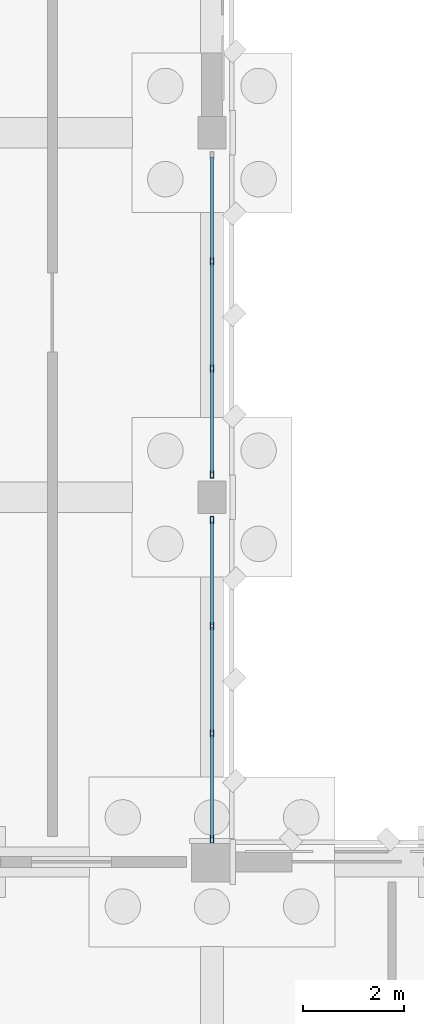
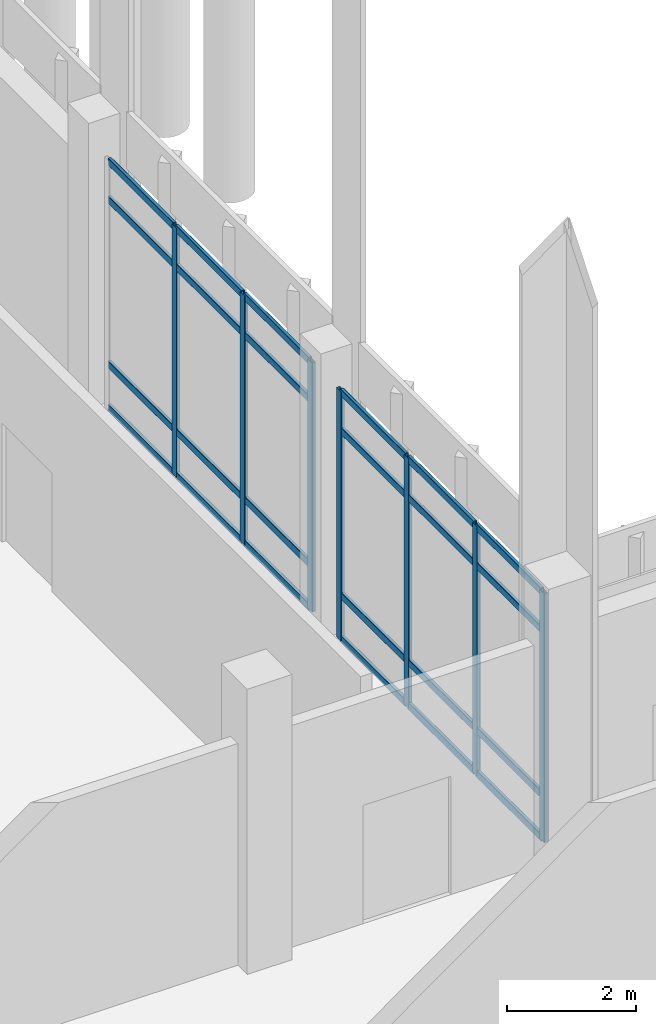
# One storey, part 28 of 109: 31 members, 2 elements without a shape of their own.
"""IFC4 building model written with IfcOpenShell, lengths in metres."""

import ifcopenshell
import ifcopenshell.guid

model = None  # the IFC model being written
_history = None  # IfcOwnerHistory: only IFC2X3 demands one
_inside = {}  # id of a spatial element -> (the spatial element, [elements in it])
_under = {}  # id of a project, library or spatial element -> (it, [spatial elements below it])
_declared = {}  # id of a project -> (the project, [libraries it declares])
_typed = {}  # id of a type object -> (the type object, [elements of that type])
_made_of = {}  # id of a material, layer set ... -> (it, [elements and type objects made of it])


def new_model(schema):
    """Start an empty IFC model of exactly this schema.

    Asked for "IFC4X3", IfcOpenShell would pick the latest addendum, in which some entities
    have other attributes; the version numbers below select the first issue.
    IFC2X3 requires an IfcOwnerHistory on every rooted entity: one is made here for all.
    """
    global model, _history
    if schema == "IFC4X3":
        model = ifcopenshell.file(schema_version=(4, 3, 0, 0))
    else:
        model = ifcopenshell.file(schema=schema)
    _inside.clear()
    _under.clear()
    _declared.clear()
    _typed.clear()
    _made_of.clear()
    _history = None
    if model.schema == "IFC2X3":
        org = make("IfcOrganization", Name="unknown")
        user = make(
            "IfcPersonAndOrganization",
            ThePerson=make("IfcPerson", FamilyName="unknown"),
            TheOrganization=org,
        )
        app = make(
            "IfcApplication",
            ApplicationDeveloper=org,
            Version="unknown",
            ApplicationFullName="unknown",
            ApplicationIdentifier="unknown",
        )
        _history = make(
            "IfcOwnerHistory",
            OwningUser=user,
            OwningApplication=app,
            ChangeAction="ADDED",
            CreationDate=0,
        )
    return model


def make(cls, **values):
    """One entity of the class cls with the attributes given. An attribute that is None is left unset."""
    return model.create_entity(
        cls, **{name: value for name, value in values.items() if value is not None}
    )


def rooted(cls, **values):
    """An entity with a GlobalId (a new one), such as an element, a storey or a relation."""
    return make(cls, GlobalId=ifcopenshell.guid.new(), OwnerHistory=_history, **values)


def si_unit(unit_type, name, prefix=None):
    """IfcSIUnit, for example si_unit("LENGTHUNIT", "METRE", prefix="MILLI")."""
    return make("IfcSIUnit", UnitType=unit_type, Prefix=prefix, Name=name)


def assignment(units):
    """IfcUnitAssignment: the units of a project."""
    return None if units is None else make("IfcUnitAssignment", Units=units)


def point(xyz):
    """IfcCartesianPoint."""
    return None if xyz is None else make("IfcCartesianPoint", Coordinates=xyz)


def direction(xyz):
    """IfcDirection."""
    return None if xyz is None else make("IfcDirection", DirectionRatios=xyz)


def frame(location, z_axis=None, x_axis=None):
    """IfcAxis2Placement3D, a coordinate frame: its origin and axes. An axis left out is left unset."""
    return make(
        "IfcAxis2Placement3D",
        Location=point(location),
        Axis=direction(z_axis),
        RefDirection=direction(x_axis),
    )


def frame_2d(location, x_axis=None):
    """IfcAxis2Placement2D, a coordinate frame in the plane: its origin and x axis."""
    return make(
        "IfcAxis2Placement2D", Location=point(location), RefDirection=direction(x_axis)
    )


def origin():
    """The frame at (0, 0, 0) with its axes left unset."""
    return frame((0.0, 0.0, 0.0))


def origin_2d():
    """The frame at (0, 0) in the plane with its x axis left unset."""
    return frame_2d((0.0, 0.0))


def place(relative_to, where):
    """IfcLocalPlacement: puts the frame where relative to a parent placement (None: the world)."""
    return make(
        "IfcLocalPlacement", PlacementRelTo=relative_to, RelativePlacement=where
    )


def context(
    kind, dimensions, precision=None, world=None, true_north=None, identifier=None
):
    """IfcGeometricRepresentationContext, for example the 3D "Model" context."""
    return make(
        "IfcGeometricRepresentationContext",
        ContextIdentifier=identifier,
        ContextType=kind,
        CoordinateSpaceDimension=dimensions,
        Precision=precision,
        WorldCoordinateSystem=world,
        TrueNorth=true_north,
    )


def subcontext(parent, identifier, kind, view, scale=None):
    """IfcGeometricRepresentationSubContext, for example "Body" below "Model"."""
    return make(
        "IfcGeometricRepresentationSubContext",
        ContextIdentifier=identifier,
        ContextType=kind,
        ParentContext=parent,
        TargetScale=scale,
        TargetView=view,
    )


def project(units=None, contexts=None):
    """IfcProject with its units and contexts."""
    return rooted(
        "IfcProject",
        Name="project",
        RepresentationContexts=contexts,
        UnitsInContext=assignment(units),
    )


def spatial(cls, under=None, at=None, **own):
    """A site, building, storey or space (cls), placed at a placement, below another one or the project."""
    s = rooted(cls, ObjectPlacement=at, **own)
    if under is not None:
        _under.setdefault(under.id(), (under, []))[1].append(s)
    return s


def profile(cls, at=None, kind="AREA", **sizes):
    """A parametric profile (cls). Its sizes go by their IFC names, for example OverallWidth=200.0."""
    return make(cls, ProfileType=kind, Position=at, **sizes)


def hollow_rectangle(**sizes):
    """IfcRectangleHollowProfileDef."""
    return profile("IfcRectangleHollowProfileDef", **sizes)


def extrude(swept, where, along, depth):
    """IfcExtrudedAreaSolid: the profile swept, set in the frame where, extruded along a direction by depth."""
    return make(
        "IfcExtrudedAreaSolid",
        SweptArea=swept,
        Position=where,
        ExtrudedDirection=direction(along),
        Depth=depth,
    )


def shape(context_of_items, identifier, shape_type, items):
    """IfcShapeRepresentation: the items that make up one representation, for example the "Body"."""
    return make(
        "IfcShapeRepresentation",
        ContextOfItems=context_of_items,
        RepresentationIdentifier=identifier,
        RepresentationType=shape_type,
        Items=items,
    )


def material(Name=None, Category=None):
    """IfcMaterial."""
    return make("IfcMaterial", Name=Name, Category=Category)


def material_profile(
    of_material, cross_section, Name=None, Category=None, Priority=None
):
    """IfcMaterialProfile: a cross section and its material."""
    return make(
        "IfcMaterialProfile",
        Name=Name,
        Material=of_material,
        Profile=cross_section,
        Priority=Priority,
        Category=Category,
    )


def profile_set(profiles, Name=None, composite=None):
    """IfcMaterialProfileSet."""
    return make(
        "IfcMaterialProfileSet",
        Name=Name,
        MaterialProfiles=profiles,
        CompositeProfile=composite,
    )


def made_of(thing, what):
    """Note that an element or type object is made of a material, layer set ...; save() writes the relation."""
    if what is not None:
        _made_of.setdefault(what.id(), (what, []))[1].append(thing)
    return thing


def type_object(cls, material=None, **own):
    """A type object (cls), such as IfcWallType, which elements share."""
    return made_of(rooted(cls, **own), material)


def element(
    cls,
    number,
    at=None,
    inside=None,
    cuts=None,
    type_object=None,
    material=None,
    context=None,
    identifier="Body",
    shape_type=None,
    held_by="IfcProductDefinitionShape",
    body=None,
    shapes=None,
    **own,
):
    """One element of the class cls, such as IfcWall. Its Tag is "e" and its number.

    at: its placement. inside: the storey or other place that contains it. cuts: it is an
    opening in that element (IfcRelVoidsElement). A single representation is given by context,
    identifier, shape_type and body (its items); several are given by shapes. held_by: the class
    of the entity that holds the representations. save() writes the other relations.
    """
    e = rooted(cls, Tag="e%d" % number, ObjectPlacement=at, **own)
    if body is not None:
        shapes = [shape(context, identifier, shape_type, body)]
    if shapes is not None:
        e.Representation = make(held_by, Representations=shapes)
    if inside is not None:
        _inside.setdefault(inside.id(), (inside, []))[1].append(e)
    if cuts is not None:
        rooted(
            "IfcRelVoidsElement", RelatingBuildingElement=cuts, RelatedOpeningElement=e
        )
    if type_object is not None:
        _typed.setdefault(type_object.id(), (type_object, []))[1].append(e)
    return made_of(e, material)


def aggregate(whole, parts):
    """IfcRelAggregates: a whole, such as a stair, and the parts it consists of."""
    return rooted("IfcRelAggregates", RelatingObject=whole, RelatedObjects=parts)


def save(model, path):
    """Write the relations noted so far, then the file.

    IfcRelAggregates (storeys below a building ...), IfcRelContainedInSpatialStructure (elements
    in a storey), IfcRelDefinesByType, IfcRelAssociatesMaterial and IfcRelDeclares: one each for
    every whole, place, type object, material and project.
    """
    for whole, parts in _under.values():
        aggregate(whole, parts)
    for where, things in _inside.values():
        rooted(
            "IfcRelContainedInSpatialStructure",
            RelatedElements=things,
            RelatingStructure=where,
        )
    for kind, things in _typed.values():
        rooted("IfcRelDefinesByType", RelatedObjects=things, RelatingType=kind)
    for what, things in _made_of.values():
        rooted("IfcRelAssociatesMaterial", RelatedObjects=things, RelatingMaterial=what)
    for by, libraries in _declared.values():
        rooted("IfcRelDeclares", RelatingContext=by, RelatedDefinitions=libraries)
    model.write(path)


model = new_model("IFC4")

# Units and contexts
model_context = context("Model", 3, precision=1e-05, world=origin(), true_north=direction((0.0, 1.0)))
body_context = subcontext(model_context, "Body", "Model", "MODEL_VIEW")
ifc_project = project(units=[si_unit("LENGTHUNIT", "METRE"), si_unit("AREAUNIT", "SQUARE_METRE"), si_unit("VOLUMEUNIT", "CUBIC_METRE"), si_unit("PLANEANGLEUNIT", "RADIAN"), si_unit("MASSUNIT", "GRAM", prefix="KILO")], contexts=[model_context])

# Site, building, storey
site_placement = place(None, origin())
site = spatial("IfcSite", under=ifc_project, at=site_placement, CompositionType="ELEMENT")
building_placement = place(site_placement, origin())
building = spatial("IfcBuilding", under=site, at=building_placement, Name="Lusvemor Sports Hall", CompositionType="ELEMENT")
storey_placement = place(building_placement, origin())
storey = spatial("IfcBuildingStorey", under=building, at=storey_placement, Name="L00", CompositionType="ELEMENT", Elevation=0.0)

# Curtain wall, members
ifc_material_1 = material(Name="Thermally broken bronze-anodized aluminium", Category="aluminium")
curtain_wall_type = type_object("IfcCurtainWallType", Name="CW_WING_B", PredefinedType="NOTDEFINED", material=ifc_material_1)
curtain_wall_1_placement = place(storey_placement, origin())
curtain_wall_1 = element("IfcCurtainWall", 1, at=curtain_wall_1_placement, inside=storey, type_object=curtain_wall_type, Name="Curtain Wall CW-L00-E-4-0", PredefinedType="NOTDEFINED")
ifc_material_2 = material(Name="Thermally broken bronze-anodized aluminium", Category="aluminium")
ifc_material_profile_1 = material_profile(ifc_material_2, hollow_rectangle(XDim=0.06494140625, YDim=0.14990234375, WallThickness=0.00390625, InnerFilletRadius=0.00390625, OuterFilletRadius=0.008056640625, at=origin_2d()), Name="CWMUL150x65x4")
ifc_profile_set_1 = profile_set([ifc_material_profile_1], Name="Thermally broken bronze-anodized aluminium")
member_type_1 = type_object("IfcMemberType", Name="CW_MUL_B", PredefinedType="MULLION", material=ifc_profile_set_1)
member_1_placement = place(storey_placement, frame((21.60009765625, 53.547607421875, 0.0), z_axis=(0.0, 0.0, 1.0), x_axis=(1.0, 0.0, 0.0)))
member_1 = element("IfcMember", 2, at=member_1_placement, type_object=member_type_1, Name="CW02 mullion 1", PredefinedType="MULLION", context=body_context, shape_type="SweptSolid", body=[
    extrude(hollow_rectangle(XDim=0.06494140625, YDim=0.14990234375, WallThickness=0.00390625, InnerFilletRadius=0.00390625, OuterFilletRadius=0.008056640625, at=origin_2d()), origin(), (0.0, 0.0, 1.0), 4.719970703125),
])
member_2_placement = place(storey_placement, frame((21.60009765625, 51.4599609375, 0.0), z_axis=(0.0, 0.0, 1.0), x_axis=(1.0, 0.0, 0.0)))
member_2 = element("IfcMember", 3, at=member_2_placement, type_object=member_type_1, Name="CW02 mullion 2", PredefinedType="MULLION", context=body_context, shape_type="SweptSolid", body=[
    extrude(hollow_rectangle(XDim=0.06494140625, YDim=0.14990234375, WallThickness=0.00390625, InnerFilletRadius=0.00390625, OuterFilletRadius=0.008056640625, at=origin_2d()), origin(), (0.0, 0.0, 1.0), 4.719970703125),
])
member_3_placement = place(storey_placement, frame((21.60009765625, 49.340087890625, 0.0), z_axis=(0.0, 0.0, 1.0), x_axis=(1.0, 0.0, 0.0)))
member_3 = element("IfcMember", 4, at=member_3_placement, type_object=member_type_1, Name="CW02 mullion 3", PredefinedType="MULLION", context=body_context, shape_type="SweptSolid", body=[
    extrude(hollow_rectangle(XDim=0.06494140625, YDim=0.14990234375, WallThickness=0.00390625, InnerFilletRadius=0.00390625, OuterFilletRadius=0.008056640625, at=origin_2d()), origin(), (0.0, 0.0, 1.0), 4.719970703125),
])
member_4_placement = place(storey_placement, frame((21.60009765625, 47.25244140625, 0.0), z_axis=(0.0, 0.0, 1.0), x_axis=(1.0, 0.0, 0.0)))
member_4 = element("IfcMember", 5, at=member_4_placement, type_object=member_type_1, Name="CW02 mullion 4", PredefinedType="MULLION", context=body_context, shape_type="SweptSolid", body=[
    extrude(hollow_rectangle(XDim=0.06494140625, YDim=0.14990234375, WallThickness=0.00390625, InnerFilletRadius=0.00390625, OuterFilletRadius=0.008056640625, at=origin_2d()), origin(), (0.0, 0.0, 1.0), 4.719970703125),
])

curtain_wall_2_placement = place(storey_placement, origin())
curtain_wall_2 = element("IfcCurtainWall", 6, at=curtain_wall_2_placement, inside=storey, type_object=curtain_wall_type, Name="Curtain Wall CW-L00-E-4-1", PredefinedType="NOTDEFINED")
member_5_placement = place(storey_placement, frame((21.60009765625, 58.659912109375, 0.0), z_axis=(0.0, 0.0, 1.0), x_axis=(1.0, 0.0, 0.0)))
member_5 = element("IfcMember", 7, at=member_5_placement, type_object=member_type_1, Name="CW02 mullion 2", PredefinedType="MULLION", context=body_context, shape_type="SweptSolid", body=[
    extrude(hollow_rectangle(XDim=0.06494140625, YDim=0.14990234375, WallThickness=0.00390625, InnerFilletRadius=0.00390625, OuterFilletRadius=0.008056640625, at=origin_2d()), origin(), (0.0, 0.0, 1.0), 4.719970703125),
])
member_6_placement = place(storey_placement, frame((21.60009765625, 56.5400390625, 0.0), z_axis=(0.0, 0.0, 1.0), x_axis=(1.0, 0.0, 0.0)))
member_6 = element("IfcMember", 8, at=member_6_placement, type_object=member_type_1, Name="CW02 mullion 3", PredefinedType="MULLION", context=body_context, shape_type="SweptSolid", body=[
    extrude(hollow_rectangle(XDim=0.06494140625, YDim=0.14990234375, WallThickness=0.00390625, InnerFilletRadius=0.00390625, OuterFilletRadius=0.008056640625, at=origin_2d()), origin(), (0.0, 0.0, 1.0), 4.719970703125),
])
member_7_placement = place(storey_placement, frame((21.60009765625, 54.452392578125, 0.0), z_axis=(0.0, 0.0, 1.0), x_axis=(1.0, 0.0, 0.0)))
member_7 = element("IfcMember", 9, at=member_7_placement, type_object=member_type_1, Name="CW02 mullion 4", PredefinedType="MULLION", context=body_context, shape_type="SweptSolid", body=[
    extrude(hollow_rectangle(XDim=0.06494140625, YDim=0.14990234375, WallThickness=0.00390625, InnerFilletRadius=0.00390625, OuterFilletRadius=0.008056640625, at=origin_2d()), origin(), (0.0, 0.0, 1.0), 4.719970703125),
])

# Member
ifc_material_3 = material(Name="Thermally broken bronze-anodized aluminium", Category="aluminium")
ifc_material_profile_2 = material_profile(ifc_material_3, hollow_rectangle(XDim=0.06005859375, YDim=0.135009765625, WallThickness=0.00390625, InnerFilletRadius=0.00390625, OuterFilletRadius=0.008056640625, at=origin_2d()), Name="CWTRN135x60x4")
ifc_profile_set_2 = profile_set([ifc_material_profile_2], Name="Thermally broken bronze-anodized aluminium")
member_type_2 = type_object("IfcMemberType", Name="CW_TRN_B", PredefinedType="USERDEFINED", material=ifc_profile_set_2)
member_8_placement = place(storey_placement, frame((21.60009765625, 53.514892578125, 0.030029296875), z_axis=(0.0, -1.0, 0.0), x_axis=(1.0, 0.0, 0.0)))
member_8 = element("IfcMember", 10, at=member_8_placement, type_object=member_type_2, Name="CW02 transom 1.1", ObjectType="TRANSOM", PredefinedType="USERDEFINED", context=body_context, shape_type="SweptSolid", body=[
    extrude(hollow_rectangle(XDim=0.06005859375, YDim=0.135009765625, WallThickness=0.00390625, InnerFilletRadius=0.00390625, OuterFilletRadius=0.008056640625, at=origin_2d()), origin(), (0.0, 0.0, 1.0), 2.0224609375),
])

member_9_placement = place(storey_placement, frame((21.60009765625, 53.514892578125, 0.85009765625), z_axis=(0.0, -1.0, 0.0), x_axis=(1.0, 0.0, 0.0)))
member_9 = element("IfcMember", 11, at=member_9_placement, type_object=member_type_2, Name="CW02 transom 1.2", ObjectType="TRANSOM", PredefinedType="USERDEFINED", context=body_context, shape_type="SweptSolid", body=[
    extrude(hollow_rectangle(XDim=0.06005859375, YDim=0.135009765625, WallThickness=0.00390625, InnerFilletRadius=0.00390625, OuterFilletRadius=0.008056640625, at=origin_2d()), origin(), (0.0, 0.0, 1.0), 2.0224609375),
])

member_10_placement = place(storey_placement, frame((21.60009765625, 53.514892578125, 3.969970703125), z_axis=(0.0, -1.0, 0.0), x_axis=(1.0, 0.0, 0.0)))
member_10 = element("IfcMember", 12, at=member_10_placement, type_object=member_type_2, Name="CW02 transom 1.3", ObjectType="TRANSOM", PredefinedType="USERDEFINED", context=body_context, shape_type="SweptSolid", body=[
    extrude(hollow_rectangle(XDim=0.06005859375, YDim=0.135009765625, WallThickness=0.00390625, InnerFilletRadius=0.00390625, OuterFilletRadius=0.008056640625, at=origin_2d()), origin(), (0.0, 0.0, 1.0), 2.0224609375),
])

member_11_placement = place(storey_placement, frame((21.60009765625, 53.514892578125, 4.68994140625), z_axis=(0.0, -1.0, 0.0), x_axis=(1.0, 0.0, 0.0)))
member_11 = element("IfcMember", 13, at=member_11_placement, type_object=member_type_2, Name="CW02 transom 1.4", ObjectType="TRANSOM", PredefinedType="USERDEFINED", context=body_context, shape_type="SweptSolid", body=[
    extrude(hollow_rectangle(XDim=0.06005859375, YDim=0.135009765625, WallThickness=0.00390625, InnerFilletRadius=0.00390625, OuterFilletRadius=0.008056640625, at=origin_2d()), origin(), (0.0, 0.0, 1.0), 2.0224609375),
])

member_12_placement = place(storey_placement, frame((21.60009765625, 51.427490234375, 0.030029296875), z_axis=(0.0, -1.0, 0.0), x_axis=(1.0, 0.0, 0.0)))
member_12 = element("IfcMember", 14, at=member_12_placement, type_object=member_type_2, Name="CW02 transom 2.1", ObjectType="TRANSOM", PredefinedType="USERDEFINED", context=body_context, shape_type="SweptSolid", body=[
    extrude(hollow_rectangle(XDim=0.06005859375, YDim=0.135009765625, WallThickness=0.00390625, InnerFilletRadius=0.00390625, OuterFilletRadius=0.008056640625, at=origin_2d()), origin(), (0.0, 0.0, 1.0), 2.054931640625),
])

member_13_placement = place(storey_placement, frame((21.60009765625, 51.427490234375, 0.85009765625), z_axis=(0.0, -1.0, 0.0), x_axis=(1.0, 0.0, 0.0)))
member_13 = element("IfcMember", 15, at=member_13_placement, type_object=member_type_2, Name="CW02 transom 2.2", ObjectType="TRANSOM", PredefinedType="USERDEFINED", context=body_context, shape_type="SweptSolid", body=[
    extrude(hollow_rectangle(XDim=0.06005859375, YDim=0.135009765625, WallThickness=0.00390625, InnerFilletRadius=0.00390625, OuterFilletRadius=0.008056640625, at=origin_2d()), origin(), (0.0, 0.0, 1.0), 2.054931640625),
])

member_14_placement = place(storey_placement, frame((21.60009765625, 51.427490234375, 3.969970703125), z_axis=(0.0, -1.0, 0.0), x_axis=(1.0, 0.0, 0.0)))
member_14 = element("IfcMember", 16, at=member_14_placement, type_object=member_type_2, Name="CW02 transom 2.3", ObjectType="TRANSOM", PredefinedType="USERDEFINED", context=body_context, shape_type="SweptSolid", body=[
    extrude(hollow_rectangle(XDim=0.06005859375, YDim=0.135009765625, WallThickness=0.00390625, InnerFilletRadius=0.00390625, OuterFilletRadius=0.008056640625, at=origin_2d()), origin(), (0.0, 0.0, 1.0), 2.054931640625),
])

member_15_placement = place(storey_placement, frame((21.60009765625, 51.427490234375, 4.68994140625), z_axis=(0.0, -1.0, 0.0), x_axis=(1.0, 0.0, 0.0)))
member_15 = element("IfcMember", 17, at=member_15_placement, type_object=member_type_2, Name="CW02 transom 2.4", ObjectType="TRANSOM", PredefinedType="USERDEFINED", context=body_context, shape_type="SweptSolid", body=[
    extrude(hollow_rectangle(XDim=0.06005859375, YDim=0.135009765625, WallThickness=0.00390625, InnerFilletRadius=0.00390625, OuterFilletRadius=0.008056640625, at=origin_2d()), origin(), (0.0, 0.0, 1.0), 2.054931640625),
])

member_16_placement = place(storey_placement, frame((21.60009765625, 49.3076171875, 0.030029296875), z_axis=(0.0, -1.0, 0.0), x_axis=(1.0, 0.0, 0.0)))
member_16 = element("IfcMember", 18, at=member_16_placement, type_object=member_type_2, Name="CW02 transom 3.1", ObjectType="TRANSOM", PredefinedType="USERDEFINED", context=body_context, shape_type="SweptSolid", body=[
    extrude(hollow_rectangle(XDim=0.06005859375, YDim=0.135009765625, WallThickness=0.00390625, InnerFilletRadius=0.00390625, OuterFilletRadius=0.008056640625, at=origin_2d()), origin(), (0.0, 0.0, 1.0), 2.022705078125),
])

member_17_placement = place(storey_placement, frame((21.60009765625, 49.3076171875, 0.85009765625), z_axis=(0.0, -1.0, 0.0), x_axis=(1.0, 0.0, 0.0)))
member_17 = element("IfcMember", 19, at=member_17_placement, type_object=member_type_2, Name="CW02 transom 3.2", ObjectType="TRANSOM", PredefinedType="USERDEFINED", context=body_context, shape_type="SweptSolid", body=[
    extrude(hollow_rectangle(XDim=0.06005859375, YDim=0.135009765625, WallThickness=0.00390625, InnerFilletRadius=0.00390625, OuterFilletRadius=0.008056640625, at=origin_2d()), origin(), (0.0, 0.0, 1.0), 2.022705078125),
])

member_18_placement = place(storey_placement, frame((21.60009765625, 49.3076171875, 3.969970703125), z_axis=(0.0, -1.0, 0.0), x_axis=(1.0, 0.0, 0.0)))
member_18 = element("IfcMember", 20, at=member_18_placement, type_object=member_type_2, Name="CW02 transom 3.3", ObjectType="TRANSOM", PredefinedType="USERDEFINED", context=body_context, shape_type="SweptSolid", body=[
    extrude(hollow_rectangle(XDim=0.06005859375, YDim=0.135009765625, WallThickness=0.00390625, InnerFilletRadius=0.00390625, OuterFilletRadius=0.008056640625, at=origin_2d()), origin(), (0.0, 0.0, 1.0), 2.022705078125),
])

member_19_placement = place(storey_placement, frame((21.60009765625, 49.3076171875, 4.68994140625), z_axis=(0.0, -1.0, 0.0), x_axis=(1.0, 0.0, 0.0)))
member_19 = element("IfcMember", 21, at=member_19_placement, type_object=member_type_2, Name="CW02 transom 3.4", ObjectType="TRANSOM", PredefinedType="USERDEFINED", context=body_context, shape_type="SweptSolid", body=[
    extrude(hollow_rectangle(XDim=0.06005859375, YDim=0.135009765625, WallThickness=0.00390625, InnerFilletRadius=0.00390625, OuterFilletRadius=0.008056640625, at=origin_2d()), origin(), (0.0, 0.0, 1.0), 2.022705078125),
])

aggregate(curtain_wall_1, [member_1, member_2, member_3, member_4, member_8, member_9, member_10, member_11, member_12, member_13, member_14, member_15, member_16, member_17, member_18, member_19])

member_20_placement = place(storey_placement, frame((21.60009765625, 60.715087890625, 0.030029296875), z_axis=(0.0, -1.0, 0.0), x_axis=(1.0, 0.0, 0.0)))
member_20 = element("IfcMember", 22, at=member_20_placement, type_object=member_type_2, Name="CW02 transom 1.1", ObjectType="TRANSOM", PredefinedType="USERDEFINED", context=body_context, shape_type="SweptSolid", body=[
    extrude(hollow_rectangle(XDim=0.06005859375, YDim=0.135009765625, WallThickness=0.00390625, InnerFilletRadius=0.00390625, OuterFilletRadius=0.008056640625, at=origin_2d()), origin(), (0.0, 0.0, 1.0), 2.022705078125),
])

member_21_placement = place(storey_placement, frame((21.60009765625, 60.715087890625, 0.85009765625), z_axis=(0.0, -1.0, 0.0), x_axis=(1.0, 0.0, 0.0)))
member_21 = element("IfcMember", 23, at=member_21_placement, type_object=member_type_2, Name="CW02 transom 1.2", ObjectType="TRANSOM", PredefinedType="USERDEFINED", context=body_context, shape_type="SweptSolid", body=[
    extrude(hollow_rectangle(XDim=0.06005859375, YDim=0.135009765625, WallThickness=0.00390625, InnerFilletRadius=0.00390625, OuterFilletRadius=0.008056640625, at=origin_2d()), origin(), (0.0, 0.0, 1.0), 2.022705078125),
])

member_22_placement = place(storey_placement, frame((21.60009765625, 60.715087890625, 3.969970703125), z_axis=(0.0, -1.0, 0.0), x_axis=(1.0, 0.0, 0.0)))
member_22 = element("IfcMember", 24, at=member_22_placement, type_object=member_type_2, Name="CW02 transom 1.3", ObjectType="TRANSOM", PredefinedType="USERDEFINED", context=body_context, shape_type="SweptSolid", body=[
    extrude(hollow_rectangle(XDim=0.06005859375, YDim=0.135009765625, WallThickness=0.00390625, InnerFilletRadius=0.00390625, OuterFilletRadius=0.008056640625, at=origin_2d()), origin(), (0.0, 0.0, 1.0), 2.022705078125),
])

member_23_placement = place(storey_placement, frame((21.60009765625, 60.715087890625, 4.68994140625), z_axis=(0.0, -1.0, 0.0), x_axis=(1.0, 0.0, 0.0)))
member_23 = element("IfcMember", 25, at=member_23_placement, type_object=member_type_2, Name="CW02 transom 1.4", ObjectType="TRANSOM", PredefinedType="USERDEFINED", context=body_context, shape_type="SweptSolid", body=[
    extrude(hollow_rectangle(XDim=0.06005859375, YDim=0.135009765625, WallThickness=0.00390625, InnerFilletRadius=0.00390625, OuterFilletRadius=0.008056640625, at=origin_2d()), origin(), (0.0, 0.0, 1.0), 2.022705078125),
])

member_24_placement = place(storey_placement, frame((21.60009765625, 58.62744140625, 0.030029296875), z_axis=(0.0, -1.0, 0.0), x_axis=(1.0, 0.0, 0.0)))
member_24 = element("IfcMember", 26, at=member_24_placement, type_object=member_type_2, Name="CW02 transom 2.1", ObjectType="TRANSOM", PredefinedType="USERDEFINED", context=body_context, shape_type="SweptSolid", body=[
    extrude(hollow_rectangle(XDim=0.06005859375, YDim=0.135009765625, WallThickness=0.00390625, InnerFilletRadius=0.00390625, OuterFilletRadius=0.008056640625, at=origin_2d()), origin(), (0.0, 0.0, 1.0), 2.054931640625),
])

member_25_placement = place(storey_placement, frame((21.60009765625, 58.62744140625, 0.85009765625), z_axis=(0.0, -1.0, 0.0), x_axis=(1.0, 0.0, 0.0)))
member_25 = element("IfcMember", 27, at=member_25_placement, type_object=member_type_2, Name="CW02 transom 2.2", ObjectType="TRANSOM", PredefinedType="USERDEFINED", context=body_context, shape_type="SweptSolid", body=[
    extrude(hollow_rectangle(XDim=0.06005859375, YDim=0.135009765625, WallThickness=0.00390625, InnerFilletRadius=0.00390625, OuterFilletRadius=0.008056640625, at=origin_2d()), origin(), (0.0, 0.0, 1.0), 2.054931640625),
])

member_26_placement = place(storey_placement, frame((21.60009765625, 58.62744140625, 3.969970703125), z_axis=(0.0, -1.0, 0.0), x_axis=(1.0, 0.0, 0.0)))
member_26 = element("IfcMember", 28, at=member_26_placement, type_object=member_type_2, Name="CW02 transom 2.3", ObjectType="TRANSOM", PredefinedType="USERDEFINED", context=body_context, shape_type="SweptSolid", body=[
    extrude(hollow_rectangle(XDim=0.06005859375, YDim=0.135009765625, WallThickness=0.00390625, InnerFilletRadius=0.00390625, OuterFilletRadius=0.008056640625, at=origin_2d()), origin(), (0.0, 0.0, 1.0), 2.054931640625),
])

member_27_placement = place(storey_placement, frame((21.60009765625, 58.62744140625, 4.68994140625), z_axis=(0.0, -1.0, 0.0), x_axis=(1.0, 0.0, 0.0)))
member_27 = element("IfcMember", 29, at=member_27_placement, type_object=member_type_2, Name="CW02 transom 2.4", ObjectType="TRANSOM", PredefinedType="USERDEFINED", context=body_context, shape_type="SweptSolid", body=[
    extrude(hollow_rectangle(XDim=0.06005859375, YDim=0.135009765625, WallThickness=0.00390625, InnerFilletRadius=0.00390625, OuterFilletRadius=0.008056640625, at=origin_2d()), origin(), (0.0, 0.0, 1.0), 2.054931640625),
])

member_28_placement = place(storey_placement, frame((21.60009765625, 56.507568359375, 0.030029296875), z_axis=(0.0, -1.0, 0.0), x_axis=(1.0, 0.0, 0.0)))
member_28 = element("IfcMember", 30, at=member_28_placement, type_object=member_type_2, Name="CW02 transom 3.1", ObjectType="TRANSOM", PredefinedType="USERDEFINED", context=body_context, shape_type="SweptSolid", body=[
    extrude(hollow_rectangle(XDim=0.06005859375, YDim=0.135009765625, WallThickness=0.00390625, InnerFilletRadius=0.00390625, OuterFilletRadius=0.008056640625, at=origin_2d()), origin(), (0.0, 0.0, 1.0), 2.0224609375),
])

member_29_placement = place(storey_placement, frame((21.60009765625, 56.507568359375, 0.85009765625), z_axis=(0.0, -1.0, 0.0), x_axis=(1.0, 0.0, 0.0)))
member_29 = element("IfcMember", 31, at=member_29_placement, type_object=member_type_2, Name="CW02 transom 3.2", ObjectType="TRANSOM", PredefinedType="USERDEFINED", context=body_context, shape_type="SweptSolid", body=[
    extrude(hollow_rectangle(XDim=0.06005859375, YDim=0.135009765625, WallThickness=0.00390625, InnerFilletRadius=0.00390625, OuterFilletRadius=0.008056640625, at=origin_2d()), origin(), (0.0, 0.0, 1.0), 2.0224609375),
])

member_30_placement = place(storey_placement, frame((21.60009765625, 56.507568359375, 3.969970703125), z_axis=(0.0, -1.0, 0.0), x_axis=(1.0, 0.0, 0.0)))
member_30 = element("IfcMember", 32, at=member_30_placement, type_object=member_type_2, Name="CW02 transom 3.3", ObjectType="TRANSOM", PredefinedType="USERDEFINED", context=body_context, shape_type="SweptSolid", body=[
    extrude(hollow_rectangle(XDim=0.06005859375, YDim=0.135009765625, WallThickness=0.00390625, InnerFilletRadius=0.00390625, OuterFilletRadius=0.008056640625, at=origin_2d()), origin(), (0.0, 0.0, 1.0), 2.0224609375),
])

member_31_placement = place(storey_placement, frame((21.60009765625, 56.507568359375, 4.68994140625), z_axis=(0.0, -1.0, 0.0), x_axis=(1.0, 0.0, 0.0)))
member_31 = element("IfcMember", 33, at=member_31_placement, type_object=member_type_2, Name="CW02 transom 3.4", ObjectType="TRANSOM", PredefinedType="USERDEFINED", context=body_context, shape_type="SweptSolid", body=[
    extrude(hollow_rectangle(XDim=0.06005859375, YDim=0.135009765625, WallThickness=0.00390625, InnerFilletRadius=0.00390625, OuterFilletRadius=0.008056640625, at=origin_2d()), origin(), (0.0, 0.0, 1.0), 2.0224609375),
])

aggregate(curtain_wall_2, [member_5, member_6, member_7, member_20, member_21, member_22, member_23, member_24, member_25, member_26, member_27, member_28, member_29, member_30, member_31])

save(model, "model.ifc")
